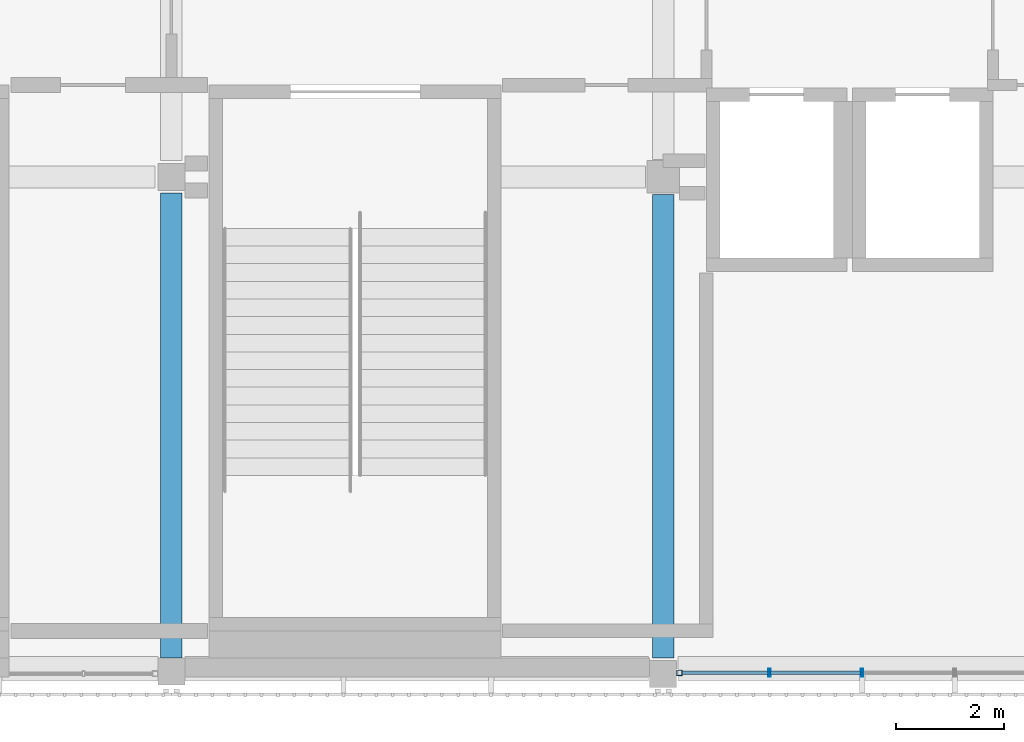
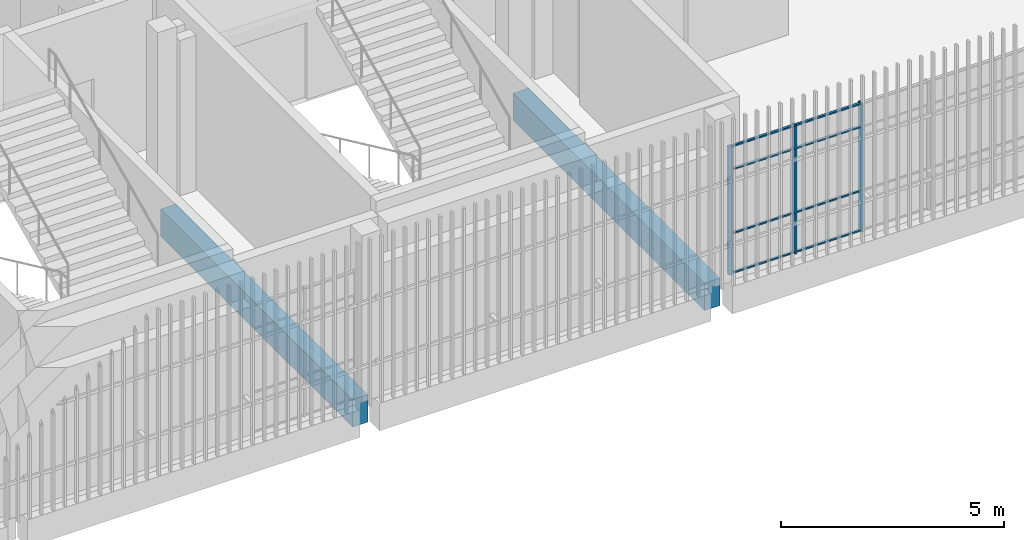
# One storey, part 5 of 124: 11 members, 2 beams, 1 element without a shape of its own.
"""IFC4 building model written with IfcOpenShell, lengths in metres."""

import ifcopenshell
import ifcopenshell.guid

model = None  # the IFC model being written
_history = None  # IfcOwnerHistory: only IFC2X3 demands one
_inside = {}  # id of a spatial element -> (the spatial element, [elements in it])
_under = {}  # id of a project, library or spatial element -> (it, [spatial elements below it])
_declared = {}  # id of a project -> (the project, [libraries it declares])
_typed = {}  # id of a type object -> (the type object, [elements of that type])
_made_of = {}  # id of a material, layer set ... -> (it, [elements and type objects made of it])


def new_model(schema):
    """Start an empty IFC model of exactly this schema.

    Asked for "IFC4X3", IfcOpenShell would pick the latest addendum, in which some entities
    have other attributes; the version numbers below select the first issue.
    IFC2X3 requires an IfcOwnerHistory on every rooted entity: one is made here for all.
    """
    global model, _history
    if schema == "IFC4X3":
        model = ifcopenshell.file(schema_version=(4, 3, 0, 0))
    else:
        model = ifcopenshell.file(schema=schema)
    _inside.clear()
    _under.clear()
    _declared.clear()
    _typed.clear()
    _made_of.clear()
    _history = None
    if model.schema == "IFC2X3":
        org = make("IfcOrganization", Name="unknown")
        user = make(
            "IfcPersonAndOrganization",
            ThePerson=make("IfcPerson", FamilyName="unknown"),
            TheOrganization=org,
        )
        app = make(
            "IfcApplication",
            ApplicationDeveloper=org,
            Version="unknown",
            ApplicationFullName="unknown",
            ApplicationIdentifier="unknown",
        )
        _history = make(
            "IfcOwnerHistory",
            OwningUser=user,
            OwningApplication=app,
            ChangeAction="ADDED",
            CreationDate=0,
        )
    return model


def make(cls, **values):
    """One entity of the class cls with the attributes given. An attribute that is None is left unset."""
    return model.create_entity(
        cls, **{name: value for name, value in values.items() if value is not None}
    )


def rooted(cls, **values):
    """An entity with a GlobalId (a new one), such as an element, a storey or a relation."""
    return make(cls, GlobalId=ifcopenshell.guid.new(), OwnerHistory=_history, **values)


def si_unit(unit_type, name, prefix=None):
    """IfcSIUnit, for example si_unit("LENGTHUNIT", "METRE", prefix="MILLI")."""
    return make("IfcSIUnit", UnitType=unit_type, Prefix=prefix, Name=name)


def assignment(units):
    """IfcUnitAssignment: the units of a project."""
    return None if units is None else make("IfcUnitAssignment", Units=units)


def point(xyz):
    """IfcCartesianPoint."""
    return None if xyz is None else make("IfcCartesianPoint", Coordinates=xyz)


def direction(xyz):
    """IfcDirection."""
    return None if xyz is None else make("IfcDirection", DirectionRatios=xyz)


def frame(location, z_axis=None, x_axis=None):
    """IfcAxis2Placement3D, a coordinate frame: its origin and axes. An axis left out is left unset."""
    return make(
        "IfcAxis2Placement3D",
        Location=point(location),
        Axis=direction(z_axis),
        RefDirection=direction(x_axis),
    )


def frame_2d(location, x_axis=None):
    """IfcAxis2Placement2D, a coordinate frame in the plane: its origin and x axis."""
    return make(
        "IfcAxis2Placement2D", Location=point(location), RefDirection=direction(x_axis)
    )


def origin():
    """The frame at (0, 0, 0) with its axes left unset."""
    return frame((0.0, 0.0, 0.0))


def origin_2d():
    """The frame at (0, 0) in the plane with its x axis left unset."""
    return frame_2d((0.0, 0.0))


def place(relative_to, where):
    """IfcLocalPlacement: puts the frame where relative to a parent placement (None: the world)."""
    return make(
        "IfcLocalPlacement", PlacementRelTo=relative_to, RelativePlacement=where
    )


def context(
    kind, dimensions, precision=None, world=None, true_north=None, identifier=None
):
    """IfcGeometricRepresentationContext, for example the 3D "Model" context."""
    return make(
        "IfcGeometricRepresentationContext",
        ContextIdentifier=identifier,
        ContextType=kind,
        CoordinateSpaceDimension=dimensions,
        Precision=precision,
        WorldCoordinateSystem=world,
        TrueNorth=true_north,
    )


def subcontext(parent, identifier, kind, view, scale=None):
    """IfcGeometricRepresentationSubContext, for example "Body" below "Model"."""
    return make(
        "IfcGeometricRepresentationSubContext",
        ContextIdentifier=identifier,
        ContextType=kind,
        ParentContext=parent,
        TargetScale=scale,
        TargetView=view,
    )


def project(units=None, contexts=None):
    """IfcProject with its units and contexts."""
    return rooted(
        "IfcProject",
        Name="project",
        RepresentationContexts=contexts,
        UnitsInContext=assignment(units),
    )


def spatial(cls, under=None, at=None, **own):
    """A site, building, storey or space (cls), placed at a placement, below another one or the project."""
    s = rooted(cls, ObjectPlacement=at, **own)
    if under is not None:
        _under.setdefault(under.id(), (under, []))[1].append(s)
    return s


def profile(cls, at=None, kind="AREA", **sizes):
    """A parametric profile (cls). Its sizes go by their IFC names, for example OverallWidth=200.0."""
    return make(cls, ProfileType=kind, Position=at, **sizes)


def rectangle(**sizes):
    """IfcRectangleProfileDef."""
    return profile("IfcRectangleProfileDef", **sizes)


def hollow_rectangle(**sizes):
    """IfcRectangleHollowProfileDef."""
    return profile("IfcRectangleHollowProfileDef", **sizes)


def extrude(swept, where, along, depth):
    """IfcExtrudedAreaSolid: the profile swept, set in the frame where, extruded along a direction by depth."""
    return make(
        "IfcExtrudedAreaSolid",
        SweptArea=swept,
        Position=where,
        ExtrudedDirection=direction(along),
        Depth=depth,
    )


def shape(context_of_items, identifier, shape_type, items):
    """IfcShapeRepresentation: the items that make up one representation, for example the "Body"."""
    return make(
        "IfcShapeRepresentation",
        ContextOfItems=context_of_items,
        RepresentationIdentifier=identifier,
        RepresentationType=shape_type,
        Items=items,
    )


def material(Name=None, Category=None):
    """IfcMaterial."""
    return make("IfcMaterial", Name=Name, Category=Category)


def layer(
    of_material, thickness, ventilated=None, Name=None, Category=None, Priority=None
):
    """IfcMaterialLayer: one layer of a wall or slab, of a material (None: an air gap)."""
    return make(
        "IfcMaterialLayer",
        Material=of_material,
        LayerThickness=thickness,
        IsVentilated=ventilated,
        Name=Name,
        Category=Category,
        Priority=Priority,
    )


def layer_set(layers, Name=None):
    """IfcMaterialLayerSet."""
    return make("IfcMaterialLayerSet", MaterialLayers=layers, LayerSetName=Name)


def material_profile(
    of_material, cross_section, Name=None, Category=None, Priority=None
):
    """IfcMaterialProfile: a cross section and its material."""
    return make(
        "IfcMaterialProfile",
        Name=Name,
        Material=of_material,
        Profile=cross_section,
        Priority=Priority,
        Category=Category,
    )


def profile_set(profiles, Name=None, composite=None):
    """IfcMaterialProfileSet."""
    return make(
        "IfcMaterialProfileSet",
        Name=Name,
        MaterialProfiles=profiles,
        CompositeProfile=composite,
    )


def made_of(thing, what):
    """Note that an element or type object is made of a material, layer set ...; save() writes the relation."""
    if what is not None:
        _made_of.setdefault(what.id(), (what, []))[1].append(thing)
    return thing


def type_object(cls, material=None, **own):
    """A type object (cls), such as IfcWallType, which elements share."""
    return made_of(rooted(cls, **own), material)


def element(
    cls,
    number,
    at=None,
    inside=None,
    cuts=None,
    type_object=None,
    material=None,
    context=None,
    identifier="Body",
    shape_type=None,
    held_by="IfcProductDefinitionShape",
    body=None,
    shapes=None,
    **own,
):
    """One element of the class cls, such as IfcWall. Its Tag is "e" and its number.

    at: its placement. inside: the storey or other place that contains it. cuts: it is an
    opening in that element (IfcRelVoidsElement). A single representation is given by context,
    identifier, shape_type and body (its items); several are given by shapes. held_by: the class
    of the entity that holds the representations. save() writes the other relations.
    """
    e = rooted(cls, Tag="e%d" % number, ObjectPlacement=at, **own)
    if body is not None:
        shapes = [shape(context, identifier, shape_type, body)]
    if shapes is not None:
        e.Representation = make(held_by, Representations=shapes)
    if inside is not None:
        _inside.setdefault(inside.id(), (inside, []))[1].append(e)
    if cuts is not None:
        rooted(
            "IfcRelVoidsElement", RelatingBuildingElement=cuts, RelatedOpeningElement=e
        )
    if type_object is not None:
        _typed.setdefault(type_object.id(), (type_object, []))[1].append(e)
    return made_of(e, material)


def aggregate(whole, parts):
    """IfcRelAggregates: a whole, such as a stair, and the parts it consists of."""
    return rooted("IfcRelAggregates", RelatingObject=whole, RelatedObjects=parts)


def save(model, path):
    """Write the relations noted so far, then the file.

    IfcRelAggregates (storeys below a building ...), IfcRelContainedInSpatialStructure (elements
    in a storey), IfcRelDefinesByType, IfcRelAssociatesMaterial and IfcRelDeclares: one each for
    every whole, place, type object, material and project.
    """
    for whole, parts in _under.values():
        aggregate(whole, parts)
    for where, things in _inside.values():
        rooted(
            "IfcRelContainedInSpatialStructure",
            RelatedElements=things,
            RelatingStructure=where,
        )
    for kind, things in _typed.values():
        rooted("IfcRelDefinesByType", RelatedObjects=things, RelatingType=kind)
    for what, things in _made_of.values():
        rooted("IfcRelAssociatesMaterial", RelatedObjects=things, RelatingMaterial=what)
    for by, libraries in _declared.values():
        rooted("IfcRelDeclares", RelatingContext=by, RelatedDefinitions=libraries)
    model.write(path)


model = new_model("IFC4")

# Units and contexts
model_context = context("Model", 3, precision=1e-05, world=origin(), true_north=direction((0.0, 1.0)))
body_context = subcontext(model_context, "Body", "Model", "MODEL_VIEW")
ifc_project = project(units=[si_unit("LENGTHUNIT", "METRE"), si_unit("AREAUNIT", "SQUARE_METRE"), si_unit("VOLUMEUNIT", "CUBIC_METRE"), si_unit("PLANEANGLEUNIT", "RADIAN"), si_unit("MASSUNIT", "GRAM", prefix="KILO")], contexts=[model_context])

# Site, building, storey
site_placement = place(None, origin())
site = spatial("IfcSite", under=ifc_project, at=site_placement, CompositionType="ELEMENT")
building_placement = place(site_placement, origin())
building = spatial("IfcBuilding", under=site, at=building_placement, Name="Shirokan Park Arena", CompositionType="ELEMENT")
storey_placement = place(building_placement, frame((0.0, 0.0, 20.02001953125)))
storey = spatial("IfcBuildingStorey", under=building, at=storey_placement, Name="L04", CompositionType="ELEMENT", Elevation=20.02001953125)

# Curtain wall, members
ifc_material_1 = material(Name="Steel and glass curtain wall", Category="steel")
ifc_layer = layer(ifc_material_1, 0.14990234375)
ifc_layer_set = layer_set([ifc_layer], Name="Steel and glass curtain wall 150 mm")
curtain_wall_type = type_object("IfcCurtainWallType", Name="Curtain wall exposed bay 150", PredefinedType="NOTDEFINED", material=ifc_layer_set)
curtain_wall_placement = place(storey_placement, origin())
curtain_wall = element("IfcCurtainWall", 1, at=curtain_wall_placement, inside=storey, type_object=curtain_wall_type, Name="Curtain wall south bay 4 L04", PredefinedType="NOTDEFINED")
ifc_material_2 = material(Name="Steel S355", Category="steel")
ifc_material_profile_1 = material_profile(ifc_material_2, hollow_rectangle(XDim=0.10009765625, YDim=0.10009765625, WallThickness=0.006103515625, at=origin_2d()), Name="RHS 100x100x6")
ifc_profile_set_1 = profile_set([ifc_material_profile_1], Name="Steel S355")
member_type_1 = type_object("IfcMemberType", Name="Mullion RHS 100x100x6", PredefinedType="MULLION", material=ifc_profile_set_1)
member_1_placement = place(storey_placement, frame((27.60009765625, -0.074951171875, 0.0), z_axis=(0.0, 0.0, 1.0), x_axis=(0.0, 1.0, 0.0)))
member_1 = element("IfcMember", 2, at=member_1_placement, type_object=member_type_1, Name="CW1 mullion 1", PredefinedType="MULLION", context=body_context, shape_type="SweptSolid", body=[
    extrude(hollow_rectangle(XDim=0.10009765625, YDim=0.10009765625, WallThickness=0.006103515625, at=origin_2d()), origin(), (0.0, 0.0, 1.0), 3.5),
])
ifc_material_profile_2 = material_profile(ifc_material_2, hollow_rectangle(XDim=0.14990234375, YDim=0.050048828125, WallThickness=0.006103515625, at=origin_2d()), Name="RHS 150x50x6")
ifc_profile_set_2 = profile_set([ifc_material_profile_2], Name="Steel S355")
member_type_2 = type_object("IfcMemberType", Name="Mullion RHS 150x50x6", PredefinedType="MULLION", material=ifc_profile_set_2)
member_2_placement = place(storey_placement, frame((29.264892578125, -0.074951171875, 0.0), z_axis=(0.0, 0.0, 1.0), x_axis=(0.0, 1.0, 0.0)))
member_2 = element("IfcMember", 3, at=member_2_placement, type_object=member_type_2, Name="CW1 mullion 2", PredefinedType="MULLION", context=body_context, shape_type="SweptSolid", body=[
    extrude(hollow_rectangle(XDim=0.14990234375, YDim=0.050048828125, WallThickness=0.006103515625, at=origin_2d()), origin(), (0.0, 0.0, 1.0), 3.5),
])
member_3_placement = place(storey_placement, frame((30.97998046875, -0.074951171875, 0.0), z_axis=(0.0, 0.0, 1.0), x_axis=(0.0, 1.0, 0.0)))
member_3 = element("IfcMember", 4, at=member_3_placement, type_object=member_type_2, Name="CW1 mullion 3", PredefinedType="MULLION", context=body_context, shape_type="SweptSolid", body=[
    extrude(hollow_rectangle(XDim=0.14990234375, YDim=0.050048828125, WallThickness=0.006103515625, at=origin_2d()), origin(), (0.0, 0.0, 1.0), 3.5),
])

# Beams
ifc_material_3 = material(Name="Concrete C35", Category="concrete")
ifc_material_profile_3 = material_profile(ifc_material_3, rectangle(XDim=0.39990234375, YDim=0.75, at=origin_2d()), Name="400x750")
ifc_profile_set_3 = profile_set([ifc_material_profile_3], Name="Concrete C35")
beam_type = type_object("IfcBeamType", Name="RC girder 400x750", PredefinedType="BEAM", material=ifc_profile_set_3)
beam_1_placement = place(storey_placement, frame((18.199951171875, 0.2001953125, -0.625), z_axis=(0.0, 1.0, 0.0), x_axis=(-1.0, 0.0, 0.0)))
element("IfcBeam", 5, at=beam_1_placement, inside=storey, type_object=beam_type, Name="Girder 3A-3B L04", PredefinedType="BEAM", context=body_context, shape_type="SweptSolid", body=[
    extrude(rectangle(XDim=0.39990234375, YDim=0.75, at=origin_2d()), origin(), (0.0, 0.0, 1.0), 8.599609375),
])
beam_2_placement = place(storey_placement, frame((27.300048828125, 0.2001953125, -0.625), z_axis=(0.0, 1.0, 0.0), x_axis=(-1.0, 0.0, 0.0)))
element("IfcBeam", 6, at=beam_2_placement, inside=storey, type_object=beam_type, Name="Girder 4A-4B L04", PredefinedType="BEAM", context=body_context, shape_type="SweptSolid", body=[
    extrude(rectangle(XDim=0.39990234375, YDim=0.75, at=origin_2d()), origin(), (0.0, 0.0, 1.0), 8.57470703125),
])

# Member
ifc_material_profile_4 = material_profile(ifc_material_2, hollow_rectangle(XDim=0.06005859375, YDim=0.0400390625, WallThickness=0.00390625, at=origin_2d()), Name="RHS 60x40x4")
ifc_profile_set_4 = profile_set([ifc_material_profile_4], Name="Steel S355")
member_type_3 = type_object("IfcMemberType", Name="Transom RHS 60x40x4", PredefinedType="MULLION", material=ifc_profile_set_4)
member_4_placement = place(storey_placement, frame((27.64990234375, -0.074951171875, 0.02001953125), z_axis=(1.0, 0.0, 0.0), x_axis=(0.0, 1.0, 0.0)))
member_4 = element("IfcMember", 7, at=member_4_placement, type_object=member_type_3, Name="CW1 transom 1.1", PredefinedType="MULLION", context=body_context, shape_type="SweptSolid", body=[
    extrude(hollow_rectangle(XDim=0.06005859375, YDim=0.0400390625, WallThickness=0.00390625, at=origin_2d()), origin(), (0.0, 0.0, 1.0), 1.590087890625),
])

member_5_placement = place(storey_placement, frame((27.64990234375, -0.074951171875, 1.10009765625), z_axis=(1.0, 0.0, 0.0), x_axis=(0.0, 1.0, 0.0)))
member_5 = element("IfcMember", 8, at=member_5_placement, type_object=member_type_3, Name="CW1 transom 1.2", PredefinedType="MULLION", context=body_context, shape_type="SweptSolid", body=[
    extrude(hollow_rectangle(XDim=0.06005859375, YDim=0.0400390625, WallThickness=0.00390625, at=origin_2d()), origin(), (0.0, 0.0, 1.0), 1.590087890625),
])

member_6_placement = place(storey_placement, frame((27.64990234375, -0.074951171875, 2.85009765625), z_axis=(1.0, 0.0, 0.0), x_axis=(0.0, 1.0, 0.0)))
member_6 = element("IfcMember", 9, at=member_6_placement, type_object=member_type_3, Name="CW1 transom 1.3", PredefinedType="MULLION", context=body_context, shape_type="SweptSolid", body=[
    extrude(hollow_rectangle(XDim=0.06005859375, YDim=0.0400390625, WallThickness=0.00390625, at=origin_2d()), origin(), (0.0, 0.0, 1.0), 1.590087890625),
])

member_7_placement = place(storey_placement, frame((27.64990234375, -0.074951171875, 3.47998046875), z_axis=(1.0, 0.0, 0.0), x_axis=(0.0, 1.0, 0.0)))
member_7 = element("IfcMember", 10, at=member_7_placement, type_object=member_type_3, Name="CW1 transom 1.4", PredefinedType="MULLION", context=body_context, shape_type="SweptSolid", body=[
    extrude(hollow_rectangle(XDim=0.06005859375, YDim=0.0400390625, WallThickness=0.00390625, at=origin_2d()), origin(), (0.0, 0.0, 1.0), 1.590087890625),
])

member_8_placement = place(storey_placement, frame((29.2900390625, -0.074951171875, 0.02001953125), z_axis=(1.0, 0.0, 0.0), x_axis=(0.0, 1.0, 0.0)))
member_8 = element("IfcMember", 11, at=member_8_placement, type_object=member_type_3, Name="CW1 transom 2.1", PredefinedType="MULLION", context=body_context, shape_type="SweptSolid", body=[
    extrude(hollow_rectangle(XDim=0.06005859375, YDim=0.0400390625, WallThickness=0.00390625, at=origin_2d()), origin(), (0.0, 0.0, 1.0), 1.6650390625),
])

member_9_placement = place(storey_placement, frame((29.2900390625, -0.074951171875, 1.10009765625), z_axis=(1.0, 0.0, 0.0), x_axis=(0.0, 1.0, 0.0)))
member_9 = element("IfcMember", 12, at=member_9_placement, type_object=member_type_3, Name="CW1 transom 2.2", PredefinedType="MULLION", context=body_context, shape_type="SweptSolid", body=[
    extrude(hollow_rectangle(XDim=0.06005859375, YDim=0.0400390625, WallThickness=0.00390625, at=origin_2d()), origin(), (0.0, 0.0, 1.0), 1.6650390625),
])

member_10_placement = place(storey_placement, frame((29.2900390625, -0.074951171875, 2.85009765625), z_axis=(1.0, 0.0, 0.0), x_axis=(0.0, 1.0, 0.0)))
member_10 = element("IfcMember", 13, at=member_10_placement, type_object=member_type_3, Name="CW1 transom 2.3", PredefinedType="MULLION", context=body_context, shape_type="SweptSolid", body=[
    extrude(hollow_rectangle(XDim=0.06005859375, YDim=0.0400390625, WallThickness=0.00390625, at=origin_2d()), origin(), (0.0, 0.0, 1.0), 1.6650390625),
])

member_11_placement = place(storey_placement, frame((29.2900390625, -0.074951171875, 3.47998046875), z_axis=(1.0, 0.0, 0.0), x_axis=(0.0, 1.0, 0.0)))
member_11 = element("IfcMember", 14, at=member_11_placement, type_object=member_type_3, Name="CW1 transom 2.4", PredefinedType="MULLION", context=body_context, shape_type="SweptSolid", body=[
    extrude(hollow_rectangle(XDim=0.06005859375, YDim=0.0400390625, WallThickness=0.00390625, at=origin_2d()), origin(), (0.0, 0.0, 1.0), 1.6650390625),
])

aggregate(curtain_wall, [member_1, member_2, member_3, member_4, member_5, member_6, member_7, member_8, member_9, member_10, member_11])

save(model, "model.ifc")
